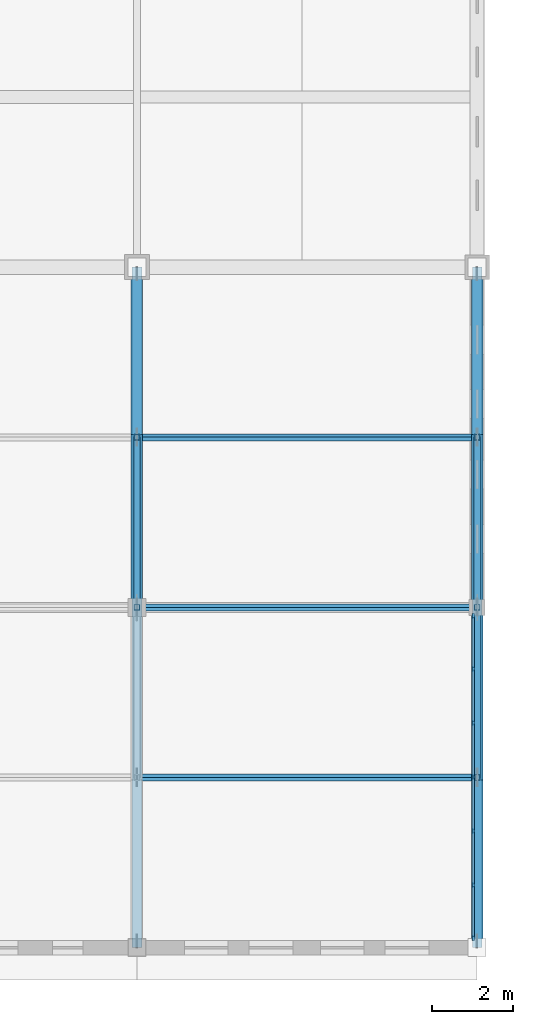
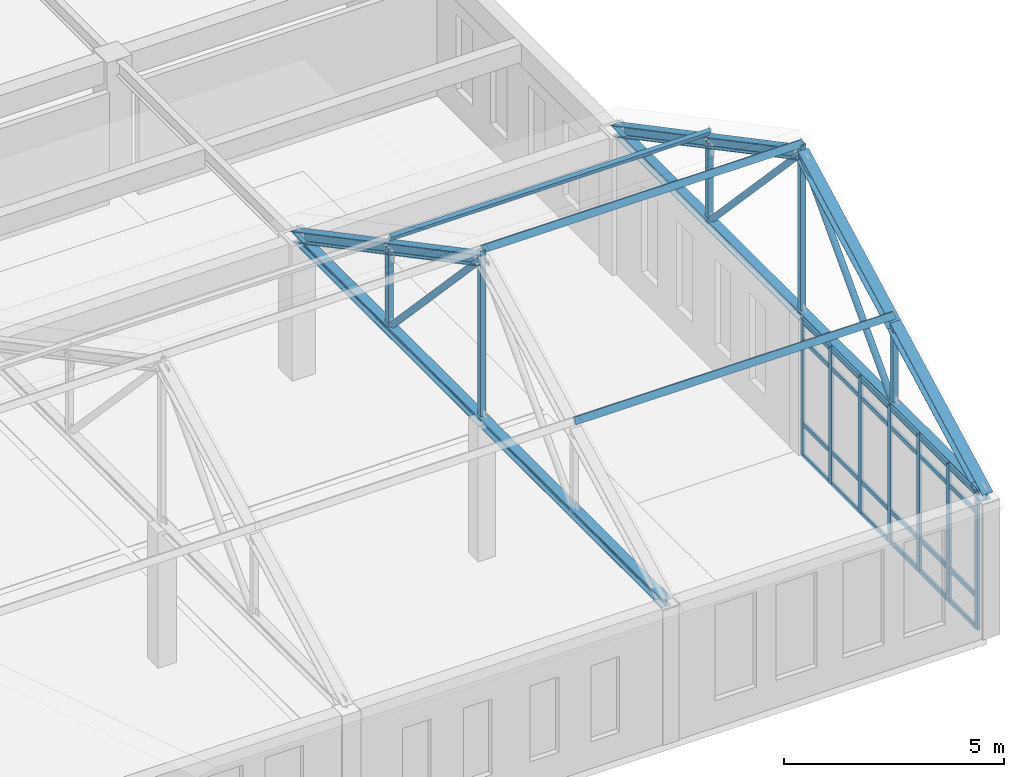
# One storey, part 11 of 47: 50 members, 1 element without a shape of its own.
"""IFC4 building model written with IfcOpenShell, lengths in metres."""

from ifc_helpers import new_model, si_unit, direction, frame, origin, origin_2d, place, context, subcontext, project, spatial, rectangle, hollow_rectangle, hollow_circle, i_section, extrude, material, layer, layer_set, material_profile, profile_set, type_object, element, aggregate, save


model = new_model("IFC4")

# Units and contexts
model_context = context("Model", 3, precision=1e-05, world=origin(), true_north=direction((0.0, 1.0)))
body_context = subcontext(model_context, "Body", "Model", "MODEL_VIEW")
ifc_project = project(units=[si_unit("LENGTHUNIT", "METRE"), si_unit("AREAUNIT", "SQUARE_METRE"), si_unit("VOLUMEUNIT", "CUBIC_METRE"), si_unit("PLANEANGLEUNIT", "RADIAN"), si_unit("MASSUNIT", "GRAM", prefix="KILO")], contexts=[model_context])

# Site, building, storey
site_placement = place(None, origin())
site = spatial("IfcSite", under=ifc_project, at=site_placement, CompositionType="ELEMENT")
building_placement = place(site_placement, origin())
building = spatial("IfcBuilding", under=site, at=building_placement, Name="Kveldsbrygga Polytechnic", CompositionType="ELEMENT")
storey_placement = place(building_placement, frame((0.0, 0.0, 13.93994140625)))
storey = spatial("IfcBuildingStorey", under=building, at=storey_placement, Name="L03", CompositionType="ELEMENT", Elevation=13.93994140625)

# Members
ifc_material_1 = material(Name="Steel S355", Category="steel")
ifc_material_profile_1 = material_profile(ifc_material_1, hollow_circle(Radius=0.084228515625, WallThickness=0.010009765625, at=origin_2d()), Name="CHS 168.3x10.0")
ifc_profile_set_1 = profile_set([ifc_material_profile_1], Name="Steel S355")
member_type_1 = type_object("IfcMemberType", Name="BR-WIND-CHS168", PredefinedType="BRACE", material=ifc_profile_set_1)
member_1_placement = place(storey_placement, frame((159.60009765625, 8.39990234375, 8.22998046875), z_axis=(0.0, 0.68640442101, -0.727220029165), x_axis=(-1.0, 0.0, 0.0)))
element("IfcMember", 1, at=member_1_placement, inside=storey, type_object=member_type_1, Name="Truss Diagonal V4S4-T05-DG-3", PredefinedType="BRACE", context=body_context, shape_type="SweptSolid", body=[
    extrude(hollow_circle(Radius=0.084228515625, WallThickness=0.010009765625, at=origin_2d()), origin(), (0.0, 0.0, 1.0), 6.119140625),
])
member_2_placement = place(storey_placement, frame((168.0, 4.199951171875, 3.780029296875), z_axis=(0.0, 0.686383320151, 0.727239945148), x_axis=(-1.0, 0.0, 0.0)))
element("IfcMember", 2, at=member_2_placement, inside=storey, type_object=member_type_1, Name="Truss Diagonal V4S4-T06-DG-2", PredefinedType="BRACE", context=body_context, shape_type="SweptSolid", body=[
    extrude(hollow_circle(Radius=0.084228515625, WallThickness=0.010009765625, at=origin_2d()), origin(), (0.0, 0.0, 1.0), 6.118896484375),
])
member_3_placement = place(storey_placement, frame((168.0, 8.39990234375, 8.22998046875), z_axis=(0.0, 0.68640442101, -0.727220029165), x_axis=(-1.0, 0.0, 0.0)))
element("IfcMember", 3, at=member_3_placement, inside=storey, type_object=member_type_1, Name="Truss Diagonal V4S4-T06-DG-3", PredefinedType="BRACE", context=body_context, shape_type="SweptSolid", body=[
    extrude(hollow_circle(Radius=0.084228515625, WallThickness=0.010009765625, at=origin_2d()), origin(), (0.0, 0.0, 1.0), 6.119140625),
])

# Curtain wall, members
ifc_material_2 = material(Name="Anodised aluminium AW-6060", Category="aluminium")
ifc_layer = layer(ifc_material_2, 0.179931640625)
ifc_layer_set = layer_set([ifc_layer], Name="Anodised aluminium AW-6060")
curtain_wall_type = type_object("IfcCurtainWallType", Name="CW-CONC-A", PredefinedType="USERDEFINED", material=ifc_layer_set)
curtain_wall_placement = place(storey_placement, origin())
curtain_wall = element("IfcCurtainWall", 4, at=curtain_wall_placement, inside=storey, type_object=curtain_wall_type, Name="Curtain Wall CW-L03-Y-20-00", ObjectType="UNITISED CURTAIN WALL", PredefinedType="USERDEFINED")
ifc_material_profile_2 = material_profile(ifc_material_2, rectangle(XDim=0.06005859375, YDim=0.139892578125, at=origin_2d()), Name="ALU 60x140")
ifc_profile_set_2 = profile_set([ifc_material_profile_2], Name="Anodised aluminium AW-6060")
member_type_2 = type_object("IfcMemberType", Name="CW-MUL-140", PredefinedType="MULLION", material=ifc_profile_set_2)
member_4_placement = place(storey_placement, frame((167.89990234375, 0.239990234375, 0.0), z_axis=(0.0, 0.0, 1.0), x_axis=(-1.0, 0.0, 0.0)))
member_4 = element("IfcMember", 5, at=member_4_placement, type_object=member_type_2, Name="CW-01 mullion 1", PredefinedType="MULLION", context=body_context, shape_type="SweptSolid", body=[
    extrude(rectangle(XDim=0.06005859375, YDim=0.139892578125, at=origin_2d()), origin(), (0.0, 0.0, 1.0), 3.780029296875),
])
member_5_placement = place(storey_placement, frame((167.89990234375, 1.544189453125, 0.0), z_axis=(0.0, 0.0, 1.0), x_axis=(-1.0, 0.0, 0.0)))
member_5 = element("IfcMember", 6, at=member_5_placement, type_object=member_type_2, Name="CW-01 mullion 2", PredefinedType="MULLION", context=body_context, shape_type="SweptSolid", body=[
    extrude(rectangle(XDim=0.06005859375, YDim=0.139892578125, at=origin_2d()), origin(), (0.0, 0.0, 1.0), 3.780029296875),
])
member_6_placement = place(storey_placement, frame((167.89990234375, 2.87841796875, 0.0), z_axis=(0.0, 0.0, 1.0), x_axis=(-1.0, 0.0, 0.0)))
member_6 = element("IfcMember", 7, at=member_6_placement, type_object=member_type_2, Name="CW-01 mullion 3", PredefinedType="MULLION", context=body_context, shape_type="SweptSolid", body=[
    extrude(rectangle(XDim=0.06005859375, YDim=0.139892578125, at=origin_2d()), origin(), (0.0, 0.0, 1.0), 3.780029296875),
])
member_7_placement = place(storey_placement, frame((167.89990234375, 4.21240234375, 0.0), z_axis=(0.0, 0.0, 1.0), x_axis=(-1.0, 0.0, 0.0)))
member_7 = element("IfcMember", 8, at=member_7_placement, type_object=member_type_2, Name="CW-01 mullion 4", PredefinedType="MULLION", context=body_context, shape_type="SweptSolid", body=[
    extrude(rectangle(XDim=0.06005859375, YDim=0.139892578125, at=origin_2d()), origin(), (0.0, 0.0, 1.0), 3.780029296875),
])
member_8_placement = place(storey_placement, frame((167.89990234375, 5.546630859375, 0.0), z_axis=(0.0, 0.0, 1.0), x_axis=(-1.0, 0.0, 0.0)))
member_8 = element("IfcMember", 9, at=member_8_placement, type_object=member_type_2, Name="CW-01 mullion 5", PredefinedType="MULLION", context=body_context, shape_type="SweptSolid", body=[
    extrude(rectangle(XDim=0.06005859375, YDim=0.139892578125, at=origin_2d()), origin(), (0.0, 0.0, 1.0), 3.780029296875),
])
member_9_placement = place(storey_placement, frame((167.89990234375, 6.880859375, 0.0), z_axis=(0.0, 0.0, 1.0), x_axis=(-1.0, 0.0, 0.0)))
member_9 = element("IfcMember", 10, at=member_9_placement, type_object=member_type_2, Name="CW-01 mullion 6", PredefinedType="MULLION", context=body_context, shape_type="SweptSolid", body=[
    extrude(rectangle(XDim=0.06005859375, YDim=0.139892578125, at=origin_2d()), origin(), (0.0, 0.0, 1.0), 3.780029296875),
])
member_10_placement = place(storey_placement, frame((167.89990234375, 8.18505859375, 0.0), z_axis=(0.0, 0.0, 1.0), x_axis=(-1.0, 0.0, 0.0)))
member_10 = element("IfcMember", 11, at=member_10_placement, type_object=member_type_2, Name="CW-01 mullion 7", PredefinedType="MULLION", context=body_context, shape_type="SweptSolid", body=[
    extrude(rectangle(XDim=0.06005859375, YDim=0.139892578125, at=origin_2d()), origin(), (0.0, 0.0, 1.0), 3.780029296875),
])
ifc_material_profile_3 = material_profile(ifc_material_2, rectangle(XDim=0.06005859375, YDim=0.1201171875, at=origin_2d()), Name="ALU 60x120")
ifc_profile_set_3 = profile_set([ifc_material_profile_3], Name="Anodised aluminium AW-6060")
member_type_3 = type_object("IfcMemberType", Name="CW-TRN-120", PredefinedType="USERDEFINED", material=ifc_profile_set_3)
member_11_placement = place(storey_placement, frame((167.89990234375, 0.27001953125, 0.030029296875), z_axis=(0.0, 1.0, 0.0), x_axis=(-1.0, 0.0, 0.0)))
member_11 = element("IfcMember", 12, at=member_11_placement, type_object=member_type_3, Name="CW-01 transom 1.1", ObjectType="TRANSOM", PredefinedType="USERDEFINED", context=body_context, shape_type="SweptSolid", body=[
    extrude(rectangle(XDim=0.06005859375, YDim=0.1201171875, at=origin_2d()), origin(), (0.0, 0.0, 1.0), 1.244140625),
])
member_12_placement = place(storey_placement, frame((167.89990234375, 0.27001953125, 0.900146484375), z_axis=(0.0, 1.0, 0.0), x_axis=(-1.0, 0.0, 0.0)))
member_12 = element("IfcMember", 13, at=member_12_placement, type_object=member_type_3, Name="CW-01 transom 1.2", ObjectType="TRANSOM", PredefinedType="USERDEFINED", context=body_context, shape_type="SweptSolid", body=[
    extrude(rectangle(XDim=0.06005859375, YDim=0.1201171875, at=origin_2d()), origin(), (0.0, 0.0, 1.0), 1.244140625),
])
member_13_placement = place(storey_placement, frame((167.89990234375, 0.27001953125, 3.22998046875), z_axis=(0.0, 1.0, 0.0), x_axis=(-1.0, 0.0, 0.0)))
member_13 = element("IfcMember", 14, at=member_13_placement, type_object=member_type_3, Name="CW-01 transom 1.3", ObjectType="TRANSOM", PredefinedType="USERDEFINED", context=body_context, shape_type="SweptSolid", body=[
    extrude(rectangle(XDim=0.06005859375, YDim=0.1201171875, at=origin_2d()), origin(), (0.0, 0.0, 1.0), 1.244140625),
])
member_14_placement = place(storey_placement, frame((167.89990234375, 0.27001953125, 3.75), z_axis=(0.0, 1.0, 0.0), x_axis=(-1.0, 0.0, 0.0)))
member_14 = element("IfcMember", 15, at=member_14_placement, type_object=member_type_3, Name="CW-01 transom 1.4", ObjectType="TRANSOM", PredefinedType="USERDEFINED", context=body_context, shape_type="SweptSolid", body=[
    extrude(rectangle(XDim=0.06005859375, YDim=0.1201171875, at=origin_2d()), origin(), (0.0, 0.0, 1.0), 1.244140625),
])
member_15_placement = place(storey_placement, frame((167.89990234375, 1.57421875, 0.030029296875), z_axis=(0.0, 1.0, 0.0), x_axis=(-1.0, 0.0, 0.0)))
member_15 = element("IfcMember", 16, at=member_15_placement, type_object=member_type_3, Name="CW-01 transom 2.1", ObjectType="TRANSOM", PredefinedType="USERDEFINED", context=body_context, shape_type="SweptSolid", body=[
    extrude(rectangle(XDim=0.06005859375, YDim=0.1201171875, at=origin_2d()), origin(), (0.0, 0.0, 1.0), 1.274169921875),
])
member_16_placement = place(storey_placement, frame((167.89990234375, 1.57421875, 0.900146484375), z_axis=(0.0, 1.0, 0.0), x_axis=(-1.0, 0.0, 0.0)))
member_16 = element("IfcMember", 17, at=member_16_placement, type_object=member_type_3, Name="CW-01 transom 2.2", ObjectType="TRANSOM", PredefinedType="USERDEFINED", context=body_context, shape_type="SweptSolid", body=[
    extrude(rectangle(XDim=0.06005859375, YDim=0.1201171875, at=origin_2d()), origin(), (0.0, 0.0, 1.0), 1.274169921875),
])
member_17_placement = place(storey_placement, frame((167.89990234375, 1.57421875, 3.22998046875), z_axis=(0.0, 1.0, 0.0), x_axis=(-1.0, 0.0, 0.0)))
member_17 = element("IfcMember", 18, at=member_17_placement, type_object=member_type_3, Name="CW-01 transom 2.3", ObjectType="TRANSOM", PredefinedType="USERDEFINED", context=body_context, shape_type="SweptSolid", body=[
    extrude(rectangle(XDim=0.06005859375, YDim=0.1201171875, at=origin_2d()), origin(), (0.0, 0.0, 1.0), 1.274169921875),
])
member_18_placement = place(storey_placement, frame((167.89990234375, 1.57421875, 3.75), z_axis=(0.0, 1.0, 0.0), x_axis=(-1.0, 0.0, 0.0)))
member_18 = element("IfcMember", 19, at=member_18_placement, type_object=member_type_3, Name="CW-01 transom 2.4", ObjectType="TRANSOM", PredefinedType="USERDEFINED", context=body_context, shape_type="SweptSolid", body=[
    extrude(rectangle(XDim=0.06005859375, YDim=0.1201171875, at=origin_2d()), origin(), (0.0, 0.0, 1.0), 1.274169921875),
])
member_19_placement = place(storey_placement, frame((167.89990234375, 2.908447265625, 0.030029296875), z_axis=(0.0, 1.0, 0.0), x_axis=(-1.0, 0.0, 0.0)))
member_19 = element("IfcMember", 20, at=member_19_placement, type_object=member_type_3, Name="CW-01 transom 3.1", ObjectType="TRANSOM", PredefinedType="USERDEFINED", context=body_context, shape_type="SweptSolid", body=[
    extrude(rectangle(XDim=0.06005859375, YDim=0.1201171875, at=origin_2d()), origin(), (0.0, 0.0, 1.0), 1.274169921875),
])
member_20_placement = place(storey_placement, frame((167.89990234375, 2.908447265625, 0.900146484375), z_axis=(0.0, 1.0, 0.0), x_axis=(-1.0, 0.0, 0.0)))
member_20 = element("IfcMember", 21, at=member_20_placement, type_object=member_type_3, Name="CW-01 transom 3.2", ObjectType="TRANSOM", PredefinedType="USERDEFINED", context=body_context, shape_type="SweptSolid", body=[
    extrude(rectangle(XDim=0.06005859375, YDim=0.1201171875, at=origin_2d()), origin(), (0.0, 0.0, 1.0), 1.274169921875),
])
member_21_placement = place(storey_placement, frame((167.89990234375, 2.908447265625, 3.22998046875), z_axis=(0.0, 1.0, 0.0), x_axis=(-1.0, 0.0, 0.0)))
member_21 = element("IfcMember", 22, at=member_21_placement, type_object=member_type_3, Name="CW-01 transom 3.3", ObjectType="TRANSOM", PredefinedType="USERDEFINED", context=body_context, shape_type="SweptSolid", body=[
    extrude(rectangle(XDim=0.06005859375, YDim=0.1201171875, at=origin_2d()), origin(), (0.0, 0.0, 1.0), 1.274169921875),
])
member_22_placement = place(storey_placement, frame((167.89990234375, 2.908447265625, 3.75), z_axis=(0.0, 1.0, 0.0), x_axis=(-1.0, 0.0, 0.0)))
member_22 = element("IfcMember", 23, at=member_22_placement, type_object=member_type_3, Name="CW-01 transom 3.4", ObjectType="TRANSOM", PredefinedType="USERDEFINED", context=body_context, shape_type="SweptSolid", body=[
    extrude(rectangle(XDim=0.06005859375, YDim=0.1201171875, at=origin_2d()), origin(), (0.0, 0.0, 1.0), 1.274169921875),
])
member_23_placement = place(storey_placement, frame((167.89990234375, 4.242431640625, 0.030029296875), z_axis=(0.0, 1.0, 0.0), x_axis=(-1.0, 0.0, 0.0)))
member_23 = element("IfcMember", 24, at=member_23_placement, type_object=member_type_3, Name="CW-01 transom 4.1", ObjectType="TRANSOM", PredefinedType="USERDEFINED", context=body_context, shape_type="SweptSolid", body=[
    extrude(rectangle(XDim=0.06005859375, YDim=0.1201171875, at=origin_2d()), origin(), (0.0, 0.0, 1.0), 1.274169921875),
])
member_24_placement = place(storey_placement, frame((167.89990234375, 4.242431640625, 0.900146484375), z_axis=(0.0, 1.0, 0.0), x_axis=(-1.0, 0.0, 0.0)))
member_24 = element("IfcMember", 25, at=member_24_placement, type_object=member_type_3, Name="CW-01 transom 4.2", ObjectType="TRANSOM", PredefinedType="USERDEFINED", context=body_context, shape_type="SweptSolid", body=[
    extrude(rectangle(XDim=0.06005859375, YDim=0.1201171875, at=origin_2d()), origin(), (0.0, 0.0, 1.0), 1.274169921875),
])
member_25_placement = place(storey_placement, frame((167.89990234375, 4.242431640625, 3.22998046875), z_axis=(0.0, 1.0, 0.0), x_axis=(-1.0, 0.0, 0.0)))
member_25 = element("IfcMember", 26, at=member_25_placement, type_object=member_type_3, Name="CW-01 transom 4.3", ObjectType="TRANSOM", PredefinedType="USERDEFINED", context=body_context, shape_type="SweptSolid", body=[
    extrude(rectangle(XDim=0.06005859375, YDim=0.1201171875, at=origin_2d()), origin(), (0.0, 0.0, 1.0), 1.274169921875),
])
member_26_placement = place(storey_placement, frame((167.89990234375, 4.242431640625, 3.75), z_axis=(0.0, 1.0, 0.0), x_axis=(-1.0, 0.0, 0.0)))
member_26 = element("IfcMember", 27, at=member_26_placement, type_object=member_type_3, Name="CW-01 transom 4.4", ObjectType="TRANSOM", PredefinedType="USERDEFINED", context=body_context, shape_type="SweptSolid", body=[
    extrude(rectangle(XDim=0.06005859375, YDim=0.1201171875, at=origin_2d()), origin(), (0.0, 0.0, 1.0), 1.274169921875),
])
member_27_placement = place(storey_placement, frame((167.89990234375, 5.57666015625, 0.030029296875), z_axis=(0.0, 1.0, 0.0), x_axis=(-1.0, 0.0, 0.0)))
member_27 = element("IfcMember", 28, at=member_27_placement, type_object=member_type_3, Name="CW-01 transom 5.1", ObjectType="TRANSOM", PredefinedType="USERDEFINED", context=body_context, shape_type="SweptSolid", body=[
    extrude(rectangle(XDim=0.06005859375, YDim=0.1201171875, at=origin_2d()), origin(), (0.0, 0.0, 1.0), 1.274169921875),
])
member_28_placement = place(storey_placement, frame((167.89990234375, 5.57666015625, 0.900146484375), z_axis=(0.0, 1.0, 0.0), x_axis=(-1.0, 0.0, 0.0)))
member_28 = element("IfcMember", 29, at=member_28_placement, type_object=member_type_3, Name="CW-01 transom 5.2", ObjectType="TRANSOM", PredefinedType="USERDEFINED", context=body_context, shape_type="SweptSolid", body=[
    extrude(rectangle(XDim=0.06005859375, YDim=0.1201171875, at=origin_2d()), origin(), (0.0, 0.0, 1.0), 1.274169921875),
])
member_29_placement = place(storey_placement, frame((167.89990234375, 5.57666015625, 3.22998046875), z_axis=(0.0, 1.0, 0.0), x_axis=(-1.0, 0.0, 0.0)))
member_29 = element("IfcMember", 30, at=member_29_placement, type_object=member_type_3, Name="CW-01 transom 5.3", ObjectType="TRANSOM", PredefinedType="USERDEFINED", context=body_context, shape_type="SweptSolid", body=[
    extrude(rectangle(XDim=0.06005859375, YDim=0.1201171875, at=origin_2d()), origin(), (0.0, 0.0, 1.0), 1.274169921875),
])
member_30_placement = place(storey_placement, frame((167.89990234375, 5.57666015625, 3.75), z_axis=(0.0, 1.0, 0.0), x_axis=(-1.0, 0.0, 0.0)))
member_30 = element("IfcMember", 31, at=member_30_placement, type_object=member_type_3, Name="CW-01 transom 5.4", ObjectType="TRANSOM", PredefinedType="USERDEFINED", context=body_context, shape_type="SweptSolid", body=[
    extrude(rectangle(XDim=0.06005859375, YDim=0.1201171875, at=origin_2d()), origin(), (0.0, 0.0, 1.0), 1.274169921875),
])
member_31_placement = place(storey_placement, frame((167.89990234375, 6.910888671875, 0.030029296875), z_axis=(0.0, 1.0, 0.0), x_axis=(-1.0, 0.0, 0.0)))
member_31 = element("IfcMember", 32, at=member_31_placement, type_object=member_type_3, Name="CW-01 transom 6.1", ObjectType="TRANSOM", PredefinedType="USERDEFINED", context=body_context, shape_type="SweptSolid", body=[
    extrude(rectangle(XDim=0.06005859375, YDim=0.1201171875, at=origin_2d()), origin(), (0.0, 0.0, 1.0), 1.244140625),
])
member_32_placement = place(storey_placement, frame((167.89990234375, 6.910888671875, 0.900146484375), z_axis=(0.0, 1.0, 0.0), x_axis=(-1.0, 0.0, 0.0)))
member_32 = element("IfcMember", 33, at=member_32_placement, type_object=member_type_3, Name="CW-01 transom 6.2", ObjectType="TRANSOM", PredefinedType="USERDEFINED", context=body_context, shape_type="SweptSolid", body=[
    extrude(rectangle(XDim=0.06005859375, YDim=0.1201171875, at=origin_2d()), origin(), (0.0, 0.0, 1.0), 1.244140625),
])
member_33_placement = place(storey_placement, frame((167.89990234375, 6.910888671875, 3.22998046875), z_axis=(0.0, 1.0, 0.0), x_axis=(-1.0, 0.0, 0.0)))
member_33 = element("IfcMember", 34, at=member_33_placement, type_object=member_type_3, Name="CW-01 transom 6.3", ObjectType="TRANSOM", PredefinedType="USERDEFINED", context=body_context, shape_type="SweptSolid", body=[
    extrude(rectangle(XDim=0.06005859375, YDim=0.1201171875, at=origin_2d()), origin(), (0.0, 0.0, 1.0), 1.244140625),
])
member_34_placement = place(storey_placement, frame((167.89990234375, 6.910888671875, 3.75), z_axis=(0.0, 1.0, 0.0), x_axis=(-1.0, 0.0, 0.0)))
member_34 = element("IfcMember", 35, at=member_34_placement, type_object=member_type_3, Name="CW-01 transom 6.4", ObjectType="TRANSOM", PredefinedType="USERDEFINED", context=body_context, shape_type="SweptSolid", body=[
    extrude(rectangle(XDim=0.06005859375, YDim=0.1201171875, at=origin_2d()), origin(), (0.0, 0.0, 1.0), 1.244140625),
])
aggregate(curtain_wall, [member_4, member_5, member_6, member_7, member_8, member_9, member_10, member_11, member_12, member_13, member_14, member_15, member_16, member_17, member_18, member_19, member_20, member_21, member_22, member_23, member_24, member_25, member_26, member_27, member_28, member_29, member_30, member_31, member_32, member_33, member_34])

# Members
ifc_material_profile_4 = material_profile(ifc_material_1, hollow_rectangle(XDim=0.10009765625, YDim=0.179931640625, WallThickness=0.008056640625, at=origin_2d()), Name="RHS 180x100x8.0")
ifc_profile_set_4 = profile_set([ifc_material_profile_4], Name="Steel S355")
member_type_4 = type_object("IfcMemberType", Name="PRL-RHS180", PredefinedType="PURLIN", material=ifc_profile_set_4)
for number, where, z_axis, x_axis, name in (
    (36, (159.60009765625, 4.199951171875, 6.265380859375), (1.0, 0.0, 0.0), (0.0, 0.883660254474, -0.468128779998), "Roof Purlin V4S4-PRL-5-1"),
    (37, (159.60009765625, 8.39990234375, 8.490234375), (1.0, 0.0, 0.0), (0.0, 0.883660254474, -0.468128779998), "Roof Purlin V4S4-PRL-5-2"),
    (38, (159.60009765625, 12.60009765625, 6.265380859375), (1.0, 0.0, 0.0), (0.0, 0.883660254474, 0.468128779998), "Roof Purlin V4S4-PRL-5-3"),
):
    element("IfcMember", number, at=place(storey_placement, frame(where, z_axis=z_axis, x_axis=x_axis)), inside=storey, type_object=member_type_4, Name=name, PredefinedType="PURLIN", context=body_context, shape_type="SweptSolid", body=[
        extrude(hollow_rectangle(XDim=0.10009765625, YDim=0.179931640625, WallThickness=0.008056640625, at=origin_2d()), origin(), (0.0, 0.0, 1.0), 8.39990234375),
    ])
ifc_material_profile_5 = material_profile(ifc_material_1, i_section(OverallWidth=0.239990234375, OverallDepth=0.239990234375, WebThickness=0.010009765625, FlangeThickness=0.01708984375, FilletRadius=0.02099609375, at=origin_2d()), Name="HEB 240")
ifc_profile_set_5 = profile_set([ifc_material_profile_5], Name="Steel S355")
member_type_5 = type_object("IfcMemberType", Name="TR-BOT-HEB240", PredefinedType="CHORD", material=ifc_profile_set_5)
for number, where, z_axis, x_axis, name in (
    (39, (159.60009765625, 0.0, 3.780029296875), (0.0, 1.0, 0.0), (-1.0, 0.0, 0.0), "Truss Bottom Chord V4S4-T05-BC-1"),
    (40, (168.0, 0.0, 3.780029296875), (0.0, 1.0, 0.0), (-1.0, 0.0, 0.0), "Truss Bottom Chord V4S4-T06-BC-1"),
):
    element("IfcMember", number, at=place(storey_placement, frame(where, z_axis=z_axis, x_axis=x_axis)), inside=storey, type_object=member_type_5, Name=name, PredefinedType="CHORD", context=body_context, shape_type="SweptSolid", body=[
        extrude(i_section(OverallWidth=0.239990234375, OverallDepth=0.239990234375, WebThickness=0.010009765625, FlangeThickness=0.01708984375, FilletRadius=0.02099609375, at=origin_2d()), origin(), (0.0, 0.0, 1.0), 16.800048828125),
    ])
ifc_material_profile_6 = material_profile(ifc_material_1, hollow_rectangle(XDim=0.139892578125, YDim=0.139892578125, WallThickness=0.008056640625, at=origin_2d()), Name="SHS 140x140x8.0")
ifc_profile_set_6 = profile_set([ifc_material_profile_6], Name="Steel S355")
member_type_6 = type_object("IfcMemberType", Name="TR-POST-SHS140", PredefinedType="STRUT", material=ifc_profile_set_6)
member_35_placement = place(storey_placement, frame((159.60009765625, 8.39990234375, 3.780029296875), z_axis=(0.0, 0.0, 1.0), x_axis=(1.0, 0.0, 0.0)))
element("IfcMember", 41, at=member_35_placement, inside=storey, type_object=member_type_6, Name="Truss Vertical V4S4-T05-VT-2", PredefinedType="STRUT", context=body_context, shape_type="SweptSolid", body=[
    extrude(hollow_rectangle(XDim=0.139892578125, YDim=0.139892578125, WallThickness=0.008056640625, at=origin_2d()), origin(), (0.0, 0.0, 1.0), 4.710205078125),
])
for number, where, z_axis, x_axis, name in (
    (42, (159.60009765625, 12.60009765625, 3.780029296875), (0.0, 0.0, 1.0), (1.0, 0.0, 0.0), "Truss Vertical V4S4-T05-VT-3"),
    (43, (168.0, 4.199951171875, 3.780029296875), (0.0, 0.0, 1.0), (1.0, 0.0, 0.0), "Truss Vertical V4S4-T06-VT-1"),
):
    element("IfcMember", number, at=place(storey_placement, frame(where, z_axis=z_axis, x_axis=x_axis)), inside=storey, type_object=member_type_6, Name=name, PredefinedType="STRUT", context=body_context, shape_type="SweptSolid", body=[
        extrude(hollow_rectangle(XDim=0.139892578125, YDim=0.139892578125, WallThickness=0.008056640625, at=origin_2d()), origin(), (0.0, 0.0, 1.0), 2.22509765625),
    ])
member_36_placement = place(storey_placement, frame((168.0, 8.39990234375, 3.780029296875), z_axis=(0.0, 0.0, 1.0), x_axis=(1.0, 0.0, 0.0)))
element("IfcMember", 44, at=member_36_placement, inside=storey, type_object=member_type_6, Name="Truss Vertical V4S4-T06-VT-2", PredefinedType="STRUT", context=body_context, shape_type="SweptSolid", body=[
    extrude(hollow_rectangle(XDim=0.139892578125, YDim=0.139892578125, WallThickness=0.008056640625, at=origin_2d()), origin(), (0.0, 0.0, 1.0), 4.710205078125),
])
member_37_placement = place(storey_placement, frame((168.0, 12.60009765625, 3.780029296875), z_axis=(0.0, 0.0, 1.0), x_axis=(1.0, 0.0, 0.0)))
element("IfcMember", 45, at=member_37_placement, inside=storey, type_object=member_type_6, Name="Truss Vertical V4S4-T06-VT-3", PredefinedType="STRUT", context=body_context, shape_type="SweptSolid", body=[
    extrude(hollow_rectangle(XDim=0.139892578125, YDim=0.139892578125, WallThickness=0.008056640625, at=origin_2d()), origin(), (0.0, 0.0, 1.0), 2.22509765625),
])
ifc_material_profile_7 = material_profile(ifc_material_1, i_section(OverallWidth=0.280029296875, OverallDepth=0.280029296875, WebThickness=0.010498046875, FlangeThickness=0.01806640625, FilletRadius=0.02392578125, at=origin_2d()), Name="HEB 280")
ifc_profile_set_7 = profile_set([ifc_material_profile_7], Name="Steel S355")
member_type_7 = type_object("IfcMemberType", Name="TR-TOP-HEB280", PredefinedType="CHORD", material=ifc_profile_set_7)
member_38_placement = place(storey_placement, frame((159.60009765625, 8.39990234375, 8.22998046875), z_axis=(0.0, 0.883681693185, -0.468088309114), x_axis=(-1.0, 0.0, 0.0)))
element("IfcMember", 46, at=member_38_placement, inside=storey, type_object=member_type_7, Name="Truss Top Chord V4S4-T05-TC-3", PredefinedType="CHORD", context=body_context, shape_type="SweptSolid", body=[
    extrude(i_section(OverallWidth=0.280029296875, OverallDepth=0.280029296875, WebThickness=0.010498046875, FlangeThickness=0.01806640625, FilletRadius=0.02392578125, at=origin_2d()), origin(), (0.0, 0.0, 1.0), 4.753173828125),
])
for number, where, z_axis, x_axis, name in (
    (47, (159.60009765625, 12.60009765625, 6.005126953125), (0.0, 0.883649189339, -0.468149666432), (-1.0, 0.0, 0.0), "Truss Top Chord V4S4-T05-TC-4"),
    (48, (168.0, 0.0, 3.780029296875), (0.0, 0.883649189339, 0.468149666432), (-1.0, 0.0, 0.0), "Truss Top Chord V4S4-T06-TC-1"),
    (49, (168.0, 4.199951171875, 6.005126953125), (0.0, 0.883670438028, 0.468109556574), (-1.0, 0.0, 0.0), "Truss Top Chord V4S4-T06-TC-2"),
):
    element("IfcMember", number, at=place(storey_placement, frame(where, z_axis=z_axis, x_axis=x_axis)), inside=storey, type_object=member_type_7, Name=name, PredefinedType="CHORD", context=body_context, shape_type="SweptSolid", body=[
        extrude(i_section(OverallWidth=0.280029296875, OverallDepth=0.280029296875, WebThickness=0.010498046875, FlangeThickness=0.01806640625, FilletRadius=0.02392578125, at=origin_2d()), origin(), (0.0, 0.0, 1.0), 4.7529296875),
    ])
member_39_placement = place(storey_placement, frame((168.0, 8.39990234375, 8.22998046875), z_axis=(0.0, 0.883681693185, -0.468088309114), x_axis=(-1.0, 0.0, 0.0)))
element("IfcMember", 50, at=member_39_placement, inside=storey, type_object=member_type_7, Name="Truss Top Chord V4S4-T06-TC-3", PredefinedType="CHORD", context=body_context, shape_type="SweptSolid", body=[
    extrude(i_section(OverallWidth=0.280029296875, OverallDepth=0.280029296875, WebThickness=0.010498046875, FlangeThickness=0.01806640625, FilletRadius=0.02392578125, at=origin_2d()), origin(), (0.0, 0.0, 1.0), 4.753173828125),
])
member_40_placement = place(storey_placement, frame((168.0, 12.60009765625, 6.005126953125), z_axis=(0.0, 0.883649189339, -0.468149666432), x_axis=(-1.0, 0.0, 0.0)))
element("IfcMember", 51, at=member_40_placement, inside=storey, type_object=member_type_7, Name="Truss Top Chord V4S4-T06-TC-4", PredefinedType="CHORD", context=body_context, shape_type="SweptSolid", body=[
    extrude(i_section(OverallWidth=0.280029296875, OverallDepth=0.280029296875, WebThickness=0.010498046875, FlangeThickness=0.01806640625, FilletRadius=0.02392578125, at=origin_2d()), origin(), (0.0, 0.0, 1.0), 4.7529296875),
])

save(model, "model.ifc")
